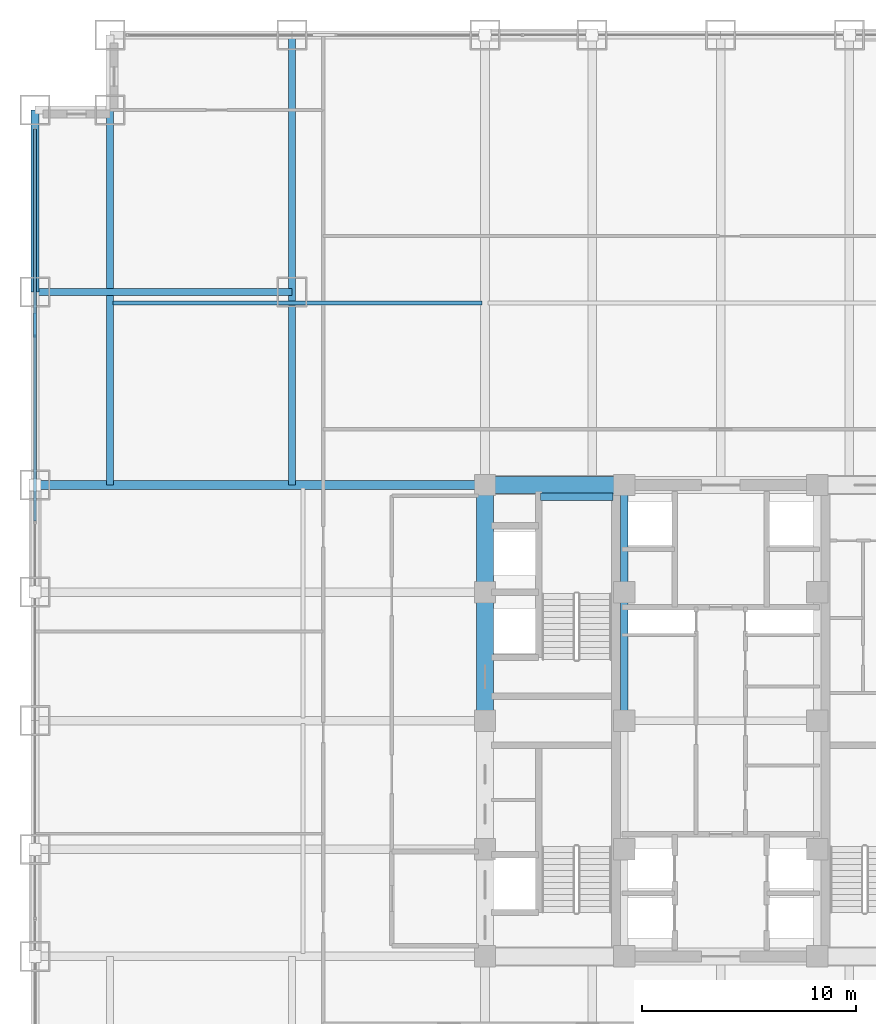
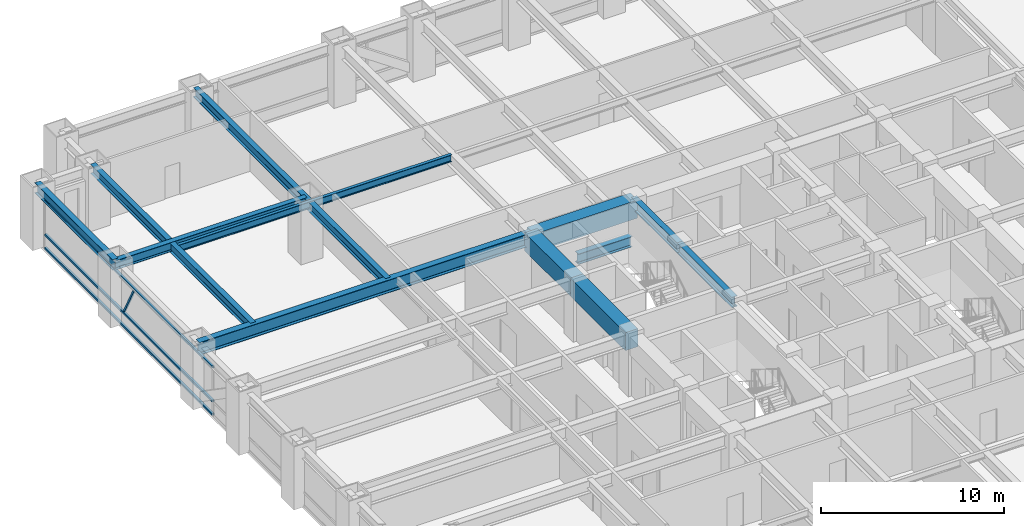
# One storey, part 13 of 27: 12 beams, 4 members, 1 element without a shape of its own.
"""IFC4 building model written with IfcOpenShell, lengths in metres."""

from ifc_helpers import new_model, si_unit, direction, frame, origin, origin_2d, place, context, subcontext, project, spatial, rectangle, hollow_rectangle, i_section, extrude, source, transform, mapped, material, material_profile, profile_set, type_object, element, aggregate, save


model = new_model("IFC4")

# Units and contexts
model_context = context("Model", 3, precision=1e-05, world=origin(), true_north=direction((0.0, 1.0)))
body_context = subcontext(model_context, "Body", "Model", "MODEL_VIEW")
ifc_project = project(units=[si_unit("LENGTHUNIT", "METRE"), si_unit("AREAUNIT", "SQUARE_METRE"), si_unit("VOLUMEUNIT", "CUBIC_METRE"), si_unit("PLANEANGLEUNIT", "RADIAN"), si_unit("MASSUNIT", "GRAM", prefix="KILO")], contexts=[model_context])

# Site, building, storey
site_placement = place(None, origin())
site = spatial("IfcSite", under=ifc_project, at=site_placement, CompositionType="ELEMENT")
building_placement = place(site_placement, origin())
building = spatial("IfcBuilding", under=site, at=building_placement, Name="Khorayat Bourse Tower", CompositionType="ELEMENT")
storey_placement = place(building_placement, frame((0.0, 0.0, 45.199951171875)))
storey = spatial("IfcBuildingStorey", under=building, at=storey_placement, Name="L09", CompositionType="ELEMENT", Elevation=45.199951171875)

# Beams
ifc_material_1 = material(Name="Concrete C72/90", Category="concrete")
ifc_material_profile_1 = material_profile(ifc_material_1, rectangle(XDim=0.800048828125, YDim=1.199951171875, at=origin_2d()), Name="RC 800x1200")
ifc_profile_set_1 = profile_set([ifc_material_profile_1], Name="Concrete C72/90")
beam_type_1 = type_object("IfcBeamType", Name="BM-COUP-1200", PredefinedType="BEAM", material=ifc_profile_set_1)
shared_shape_1 = source(origin(), body_context, "Body", "SweptSolid", [
    extrude(rectangle(XDim=0.800048828125, YDim=1.199951171875, at=origin_2d()), origin(), (0.0, 0.0, 1.0), 5.0),
])
beam_1_placement = place(storey_placement, frame((-11.0, 6.0, 3.340087890625), z_axis=(0.0, 1.0, 0.0), x_axis=(-1.0, 0.0, 0.0)))
element("IfcBeam", 1, at=beam_1_placement, inside=storey, type_object=beam_type_1, Name="L09 BM-COUP-1200 BM-L09-CRX-04", PredefinedType="BEAM", context=body_context, shape_type="MappedRepresentation", body=[
    mapped(shared_shape_1, transform((0.0, 0.0, 0.0), scale=1.0)),
])
shared_shape_2 = source(origin(), body_context, "Body", "SweptSolid", [
    extrude(rectangle(XDim=0.800048828125, YDim=1.199951171875, at=origin_2d()), origin(), (0.0, 0.0, 1.0), 6.0),
])
beam_2_placement = place(storey_placement, frame((-11.0, 0.0, 3.340087890625), z_axis=(0.0, 1.0, 0.0), x_axis=(-1.0, 0.0, 0.0)))
element("IfcBeam", 2, at=beam_2_placement, inside=storey, type_object=beam_type_1, Name="L09 BM-COUP-1200 BM-L09-CRX-03", PredefinedType="BEAM", context=body_context, shape_type="MappedRepresentation", body=[
    mapped(shared_shape_2, transform((0.0, 0.0, 0.0), scale=1.0)),
])
ifc_material_2 = material(Name="Steel ASTM A992 Grade 50", Category="steel")
ifc_material_profile_2 = material_profile(ifc_material_2, i_section(OverallWidth=0.35498046875, OverallDepth=0.695068359375, WebThickness=0.015380859375, FlangeThickness=0.02490234375, FilletRadius=0.01806640625, at=origin_2d()), Name="W690X217")
ifc_profile_set_2 = profile_set([ifc_material_profile_2], Name="Steel ASTM A992 Grade 50")
beam_type_2 = type_object("IfcBeamType", Name="BM-GIRD-690", PredefinedType="BEAM", material=ifc_profile_set_2)
shared_shape_3 = source(origin(), body_context, "Body", "SweptSolid", [
    extrude(i_section(OverallWidth=0.35498046875, OverallDepth=0.695068359375, WebThickness=0.015380859375, FlangeThickness=0.02490234375, FilletRadius=0.01806640625, at=origin_2d()), origin(), (0.0, 0.0, 1.0), 5.0),
])
beam_3_placement = place(storey_placement, frame((-4.5, 6.0, 3.592529296875), z_axis=(0.0, 1.0, 0.0), x_axis=(-1.0, 0.0, 0.0)))
element("IfcBeam", 3, at=beam_3_placement, inside=storey, type_object=beam_type_2, Name="L09 BM-GIRD-690 BM-L09-CRX-08", PredefinedType="BEAM", context=body_context, shape_type="MappedRepresentation", body=[
    mapped(shared_shape_3, transform((0.0, 0.0, 0.0), scale=1.0)),
])
shared_shape_4 = source(origin(), body_context, "Body", "SweptSolid", [
    extrude(i_section(OverallWidth=0.35498046875, OverallDepth=0.695068359375, WebThickness=0.015380859375, FlangeThickness=0.02490234375, FilletRadius=0.01806640625, at=origin_2d()), origin(), (0.0, 0.0, 1.0), 6.0),
])
beam_4_placement = place(storey_placement, frame((-4.5, 0.0, 3.592529296875), z_axis=(0.0, 1.0, 0.0), x_axis=(-1.0, 0.0, 0.0)))
element("IfcBeam", 4, at=beam_4_placement, inside=storey, type_object=beam_type_2, Name="L09 BM-GIRD-690 BM-L09-CRX-07", PredefinedType="BEAM", context=body_context, shape_type="MappedRepresentation", body=[
    mapped(shared_shape_4, transform((0.0, 0.0, 0.0), scale=1.0)),
])
shared_shape_5 = source(origin(), body_context, "Body", "SweptSolid", [
    extrude(rectangle(XDim=0.800048828125, YDim=1.199951171875, at=origin_2d()), origin(), (0.0, 0.0, 1.0), 6.5),
])
beam_5_placement = place(storey_placement, frame((-11.0, 11.0, 3.340087890625), z_axis=(1.0, 0.0, 0.0), x_axis=(0.0, 1.0, 0.0)))
element("IfcBeam", 5, at=beam_5_placement, inside=storey, type_object=beam_type_1, Name="L09 BM-COUP-1200 BM-L09-CRY-20", PredefinedType="BEAM", context=body_context, shape_type="MappedRepresentation", body=[
    mapped(shared_shape_5, transform((0.0, 0.0, 0.0), scale=1.0)),
])
shared_shape_6 = source(origin(), body_context, "Body", "SweptSolid", [
    extrude(i_section(OverallWidth=0.35498046875, OverallDepth=0.695068359375, WebThickness=0.015380859375, FlangeThickness=0.02490234375, FilletRadius=0.01806640625, at=origin_2d()), origin(), (0.0, 0.0, 1.0), 3.39990234375),
])
beam_6_placement = place(storey_placement, frame((-8.419921875, 10.449951171875, 1.552490234375), z_axis=(1.0, 0.0, 0.0), x_axis=(0.0, 1.0, 0.0)))
element("IfcBeam", 6, at=beam_6_placement, inside=storey, type_object=beam_type_2, Name="L09 BM-GIRD-690 BM-L09-ST2L", PredefinedType="BEAM", context=body_context, shape_type="MappedRepresentation", body=[
    mapped(shared_shape_6, transform((0.0, 0.0, 0.0), scale=1.0)),
])
ifc_material_profile_3 = material_profile(ifc_material_2, i_section(OverallWidth=0.35498046875, OverallDepth=0.695068359375, WebThickness=0.015380859375, FlangeThickness=0.02490234375, FilletRadius=0.01806640625, at=origin_2d()), Name="W690X217")
ifc_profile_set_3 = profile_set([ifc_material_profile_3], Name="Steel ASTM A992 Grade 50")
beam_type_3 = type_object("IfcBeamType", Name="BM-SPAN-690", PredefinedType="SPANDREL", material=ifc_profile_set_3)
shared_shape_7 = source(origin(), body_context, "Body", "SweptSolid", [
    extrude(i_section(OverallWidth=0.35498046875, OverallDepth=0.695068359375, WebThickness=0.015380859375, FlangeThickness=0.02490234375, FilletRadius=0.01806640625, at=origin_2d()), origin(), (0.0, 0.0, 1.0), 8.5),
])
beam_7_placement = place(storey_placement, frame((-32.0, 20.0, 3.592529296875), z_axis=(0.0, 1.0, 0.0), x_axis=(-1.0, 0.0, 0.0)))
element("IfcBeam", 7, at=beam_7_placement, inside=storey, type_object=beam_type_3, Name="L09 BM-SPAN-690 BM-L09-SPN-054", PredefinedType="SPANDREL", context=body_context, shape_type="MappedRepresentation", body=[
    mapped(shared_shape_7, transform((0.0, 0.0, 0.0), scale=1.0)),
])
ifc_material_profile_4 = material_profile(ifc_material_2, i_section(OverallWidth=0.39990234375, OverallDepth=0.85498046875, WebThickness=0.018310546875, FlangeThickness=0.029296875, FilletRadius=0.02001953125, at=origin_2d()), Name="W840X299")
ifc_profile_set_4 = profile_set([ifc_material_profile_4], Name="Steel ASTM A992 Grade 50")
beam_type_4 = type_object("IfcBeamType", Name="BM-GIRD-840", PredefinedType="BEAM", material=ifc_profile_set_4)
shared_shape_8 = source(origin(), body_context, "Body", "SweptSolid", [
    extrude(i_section(OverallWidth=0.39990234375, OverallDepth=0.85498046875, WebThickness=0.018310546875, FlangeThickness=0.029296875, FilletRadius=0.02001953125, at=origin_2d()), origin(), (0.0, 0.0, 1.0), 21.0),
])
beam_8_placement = place(storey_placement, frame((-32.0, 11.0, 3.512451171875), z_axis=(1.0, 0.0, 0.0), x_axis=(0.0, 1.0, 0.0)))
element("IfcBeam", 8, at=beam_8_placement, inside=storey, type_object=beam_type_4, Name="L09 BM-GIRD-840 BM-L09-RADX-083", PredefinedType="BEAM", context=body_context, shape_type="MappedRepresentation", body=[
    mapped(shared_shape_8, transform((0.0, 0.0, 0.0), scale=1.0)),
])
ifc_material_profile_5 = material_profile(ifc_material_2, i_section(OverallWidth=0.324951171875, OverallDepth=0.615966796875, WebThickness=0.013916015625, FlangeThickness=0.021484375, FilletRadius=0.01611328125, at=origin_2d()), Name="W610X174")
ifc_profile_set_5 = profile_set([ifc_material_profile_5], Name="Steel ASTM A992 Grade 50")
beam_type_5 = type_object("IfcBeamType", Name="BM-GIRD-610", PredefinedType="BEAM", material=ifc_profile_set_5)
shared_shape_9 = source(origin(), body_context, "Body", "SweptSolid", [
    extrude(i_section(OverallWidth=0.324951171875, OverallDepth=0.615966796875, WebThickness=0.013916015625, FlangeThickness=0.021484375, FilletRadius=0.01611328125, at=origin_2d()), origin(), (0.0, 0.0, 1.0), 21.0),
])
beam_9_placement = place(storey_placement, frame((-20.0, 11.0, 3.632080078125), z_axis=(0.0, 1.0, 0.0), x_axis=(-1.0, 0.0, 0.0)))
element("IfcBeam", 9, at=beam_9_placement, inside=storey, type_object=beam_type_5, Name="L09 BM-GIRD-610 BM-L09-CNRY-085", PredefinedType="BEAM", context=body_context, shape_type="MappedRepresentation", body=[
    mapped(shared_shape_9, transform((0.0, 0.0, 0.0), scale=1.0)),
])
shared_shape_10 = source(origin(), body_context, "Body", "SweptSolid", [
    extrude(i_section(OverallWidth=0.324951171875, OverallDepth=0.615966796875, WebThickness=0.013916015625, FlangeThickness=0.021484375, FilletRadius=0.01611328125, at=origin_2d()), origin(), (0.0, 0.0, 1.0), 17.5),
])
beam_10_placement = place(storey_placement, frame((-28.5, 11.0, 3.632080078125), z_axis=(0.0, 1.0, 0.0), x_axis=(-1.0, 0.0, 0.0)))
element("IfcBeam", 10, at=beam_10_placement, inside=storey, type_object=beam_type_5, Name="L09 BM-GIRD-610 BM-L09-CNRY-089", PredefinedType="BEAM", context=body_context, shape_type="MappedRepresentation", body=[
    mapped(shared_shape_10, transform((0.0, 0.0, 0.0), scale=1.0)),
])
shared_shape_11 = source(origin(), body_context, "Body", "SweptSolid", [
    extrude(i_section(OverallWidth=0.324951171875, OverallDepth=0.615966796875, WebThickness=0.013916015625, FlangeThickness=0.021484375, FilletRadius=0.01611328125, at=origin_2d()), origin(), (0.0, 0.0, 1.0), 12.0),
])
beam_11_placement = place(storey_placement, frame((-32.0, 20.0, 3.632080078125), z_axis=(1.0, 0.0, 0.0), x_axis=(0.0, 1.0, 0.0)))
element("IfcBeam", 11, at=beam_11_placement, inside=storey, type_object=beam_type_5, Name="L09 BM-GIRD-610 BM-L09-CNRX-095", PredefinedType="BEAM", context=body_context, shape_type="MappedRepresentation", body=[
    mapped(shared_shape_11, transform((0.0, 0.0, 0.0), scale=1.0)),
])
ifc_material_profile_6 = material_profile(ifc_material_2, i_section(OverallWidth=0.194091796875, OverallDepth=0.468994140625, WebThickness=0.0126953125, FlangeThickness=0.0205078125, FilletRadius=0.012939453125, at=origin_2d()), Name="W460X106")
ifc_profile_set_6 = profile_set([ifc_material_profile_6], Name="Steel ASTM A992 Grade 50")
beam_type_6 = type_object("IfcBeamType", Name="BM-JOIST-460", PredefinedType="JOIST", material=ifc_profile_set_6)
shared_shape_12 = source(origin(), body_context, "Body", "SweptSolid", [
    extrude(i_section(OverallWidth=0.194091796875, OverallDepth=0.468994140625, WebThickness=0.0126953125, FlangeThickness=0.0205078125, FilletRadius=0.012939453125, at=origin_2d()), origin(), (0.0, 0.0, 1.0), 17.240234375),
])
beam_12_placement = place(storey_placement, frame((-28.3701171875, 19.5, 3.70556640625), z_axis=(1.0, 0.0, 0.0), x_axis=(0.0, 1.0, 0.0)))
element("IfcBeam", 12, at=beam_12_placement, inside=storey, type_object=beam_type_6, Name="L09 BM-JOIST-460 BM-L09-JSTX-099", PredefinedType="JOIST", context=body_context, shape_type="MappedRepresentation", body=[
    mapped(shared_shape_12, transform((0.0, 0.0, 0.0), scale=1.0)),
])

# Curtain wall, members
ifc_material_3 = material(Name="Aluminium EN AW-6063 T6", Category="aluminium")
curtain_wall_type = type_object("IfcCurtainWallType", Name="CW-SYS-02", PredefinedType="NOTDEFINED", material=ifc_material_3)
curtain_wall_placement = place(storey_placement, origin())
curtain_wall = element("IfcCurtainWall", 13, at=curtain_wall_placement, inside=storey, type_object=curtain_wall_type, Name="L09 Curtain Wall CW-L09-W1", PredefinedType="NOTDEFINED")
ifc_material_profile_7 = material_profile(ifc_material_3, hollow_rectangle(XDim=0.139892578125, YDim=0.139892578125, WallThickness=0.006103515625, at=origin_2d()), Name="ALU 140x140x6")
ifc_profile_set_7 = profile_set([ifc_material_profile_7], Name="Aluminium EN AW-6063 T6")
member_type_1 = type_object("IfcMemberType", Name="CWT-HORZ-140", PredefinedType="USERDEFINED", material=ifc_profile_set_7)
shared_shape_13 = source(origin(), body_context, "Body", "SweptSolid", [
    extrude(hollow_rectangle(XDim=0.139892578125, YDim=0.139892578125, WallThickness=0.006103515625, at=origin_2d()), origin(), (0.0, 0.0, 1.0), 18.2900390625),
])
member_1_placement = place(storey_placement, frame((-32.0, 9.320068359375, 0.070068359375), z_axis=(0.0, 1.0, 0.0), x_axis=(-1.0, 0.0, 0.0)))
member_1 = element("IfcMember", 14, at=member_1_placement, type_object=member_type_1, Name="CW-L09-W1 Horizontal Transom 3-1", ObjectType="TRANSOM", PredefinedType="USERDEFINED", context=body_context, shape_type="MappedRepresentation", body=[
    mapped(shared_shape_13, transform((0.0, 0.0, 0.0), scale=1.0)),
])
member_2_placement = place(storey_placement, frame((-32.0, 9.320068359375, 0.949951171875), z_axis=(0.0, 1.0, 0.0), x_axis=(-1.0, 0.0, 0.0)))
member_2 = element("IfcMember", 15, at=member_2_placement, type_object=member_type_1, Name="CW-L09-W1 Horizontal Transom 3-2", ObjectType="TRANSOM", PredefinedType="USERDEFINED", context=body_context, shape_type="MappedRepresentation", body=[
    mapped(shared_shape_13, transform((0.0, 0.0, 0.0), scale=1.0)),
])
member_3_placement = place(storey_placement, frame((-32.0, 9.320068359375, 3.219970703125), z_axis=(0.0, 1.0, 0.0), x_axis=(-1.0, 0.0, 0.0)))
member_3 = element("IfcMember", 16, at=member_3_placement, type_object=member_type_1, Name="CW-L09-W1 Horizontal Transom 3-3", ObjectType="TRANSOM", PredefinedType="USERDEFINED", context=body_context, shape_type="MappedRepresentation", body=[
    mapped(shared_shape_13, transform((0.0, 0.0, 0.0), scale=1.0)),
])
ifc_material_profile_8 = material_profile(ifc_material_3, hollow_rectangle(XDim=0.1201171875, YDim=0.1201171875, WallThickness=0.0048828125, at=origin_2d()), Name="ALU 120x120x5")
ifc_profile_set_8 = profile_set([ifc_material_profile_8], Name="Aluminium EN AW-6063 T6")
member_type_2 = type_object("IfcMemberType", Name="CWM-DIAG-120", PredefinedType="MULLION", material=ifc_profile_set_8)
shared_shape_14 = source(origin(), body_context, "Body", "SweptSolid", [
    extrude(hollow_rectangle(XDim=0.1201171875, YDim=0.1201171875, WallThickness=0.0048828125, at=origin_2d()), origin(), (0.0, 0.0, 1.0), 2.22607421875),
])
member_4_placement = place(storey_placement, frame((-32.0, 18.9833984375, 1.10009765625), z_axis=(0.0, -0.465759992596, 0.884911085532), x_axis=(1.0, 0.0, 0.0)))
member_4 = element("IfcMember", 17, at=member_4_placement, type_object=member_type_2, Name="CW-L09-W1 Faceted Diagonal Mullion 3", PredefinedType="MULLION", context=body_context, shape_type="MappedRepresentation", body=[
    mapped(shared_shape_14, transform((0.0, 0.0, 0.0), scale=1.0)),
])
aggregate(curtain_wall, [member_1, member_2, member_3, member_4])

save(model, "model.ifc")
